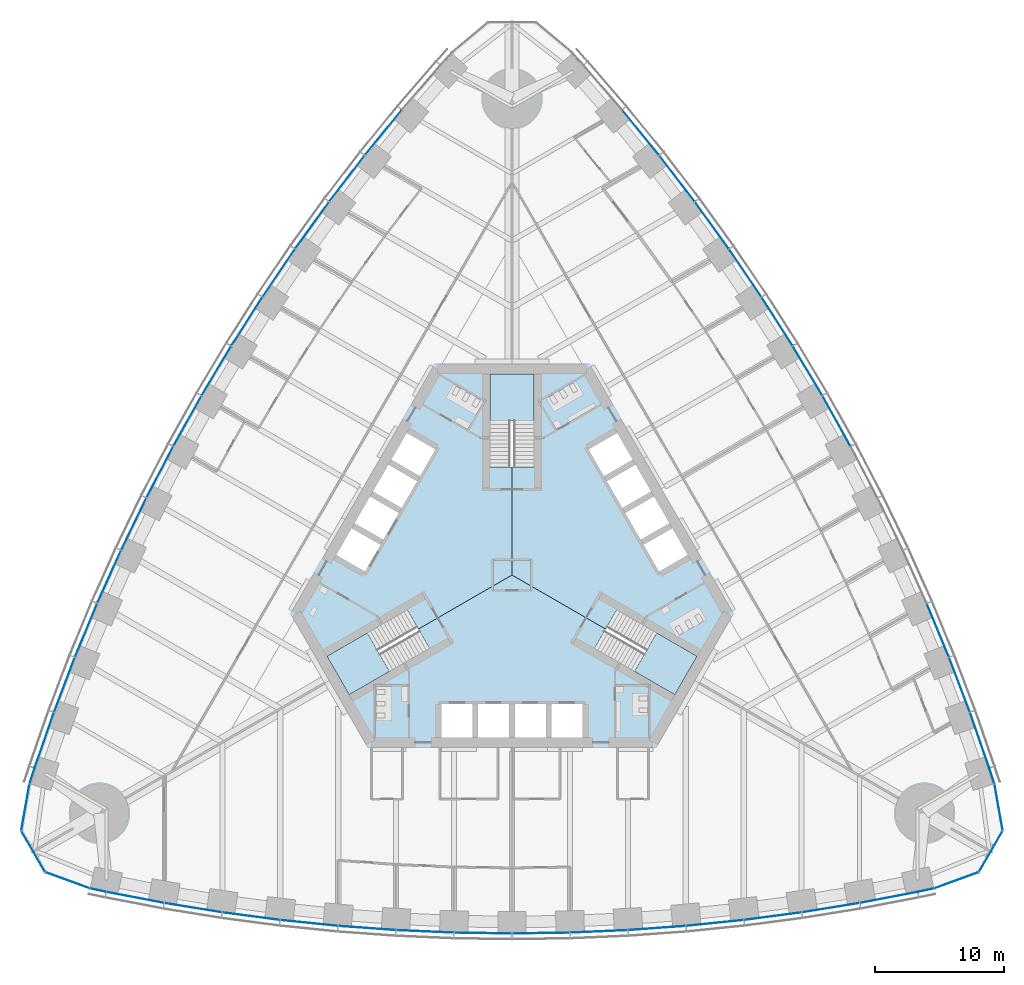
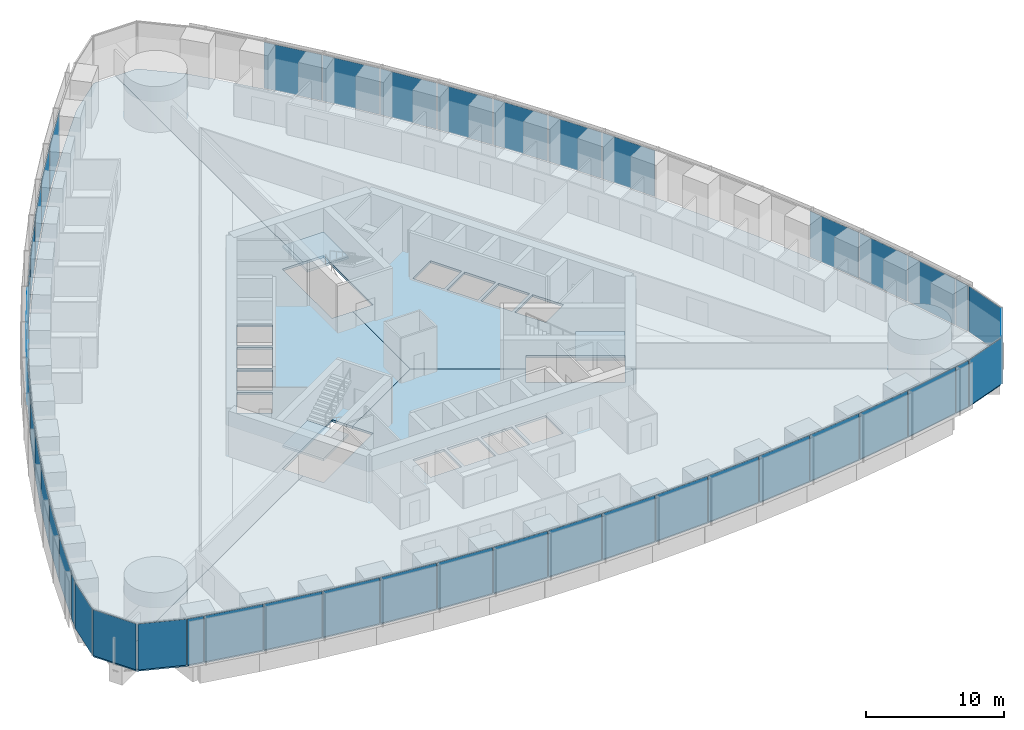
# One storey, part 8 of 18: 47 plates, 6 slabs, 8 elements without a shape of their own.
"""IFC4 building model written with IfcOpenShell, lengths in metres."""

from ifc_helpers import new_model, si_unit, direction, frame, origin, origin_2d, place, context, subcontext, project, spatial, polyline, rectangle, outline, extrude, material, layer, layer_set, type_object, element, aggregate, save


model = new_model("IFC4")

# Units and contexts
model_context = context("Model", 3, precision=1e-05, world=origin(), true_north=direction((0.0, 1.0)))
body_context = subcontext(model_context, "Body", "Model", "MODEL_VIEW")
ifc_project = project(units=[si_unit("LENGTHUNIT", "METRE"), si_unit("AREAUNIT", "SQUARE_METRE"), si_unit("VOLUMEUNIT", "CUBIC_METRE"), si_unit("PLANEANGLEUNIT", "RADIAN"), si_unit("MASSUNIT", "GRAM", prefix="KILO")], contexts=[model_context])

# Site, building, storey
site_placement = place(None, origin())
site = spatial("IfcSite", under=ifc_project, at=site_placement, CompositionType="ELEMENT")
building_placement = place(site_placement, origin())
building = spatial("IfcBuilding", under=site, at=building_placement, Name="Trefoil Bronze Tower", CompositionType="ELEMENT")
storey_placement = place(building_placement, frame((0.0, 0.0, 75.300048828125)))
storey = spatial("IfcBuildingStorey", under=building, at=storey_placement, Name="L17", CompositionType="ELEMENT", Elevation=75.300048828125)

# Curtain wall, plates
ifc_material_1 = material(Name="Tinted solar-control glass", Category="glass")
curtain_wall_type_1 = type_object("IfcCurtainWallType", Name="Bronze office curtain wall", PredefinedType="USERDEFINED", material=ifc_material_1)
curtain_wall_1_placement = place(storey_placement, origin())
curtain_wall_1 = element("IfcCurtainWall", 1, at=curtain_wall_1_placement, inside=storey, type_object=curtain_wall_type_1, Name="CW-A L17 F1", ObjectType="CURTAIN WALL", PredefinedType="USERDEFINED")
ifc_material_2 = material(Name="Tinted solar-control glass", Category="glass")
ifc_layer_1 = layer(ifc_material_2, 0.030029296875)
ifc_layer_set_1 = layer_set([ifc_layer_1], Name="Bronze office curtain wall glass panel")
plate_type_1 = type_object("IfcPlateType", Name="Bronze office curtain wall glass panel", PredefinedType="CURTAIN_PANEL", material=ifc_layer_set_1)
plate_1_placement = place(storey_placement, frame((-32.15185546875, -24.480224609375, 0.0), z_axis=(0.0, 0.0, 1.0), x_axis=(0.978302717041, -0.207180582657, 0.0)))
plate_1 = element("IfcPlate", 2, at=plate_1_placement, type_object=plate_type_1, Name="CW-A L17 F1 panel 1", PredefinedType="CURTAIN_PANEL", context=body_context, shape_type="SweptSolid", body=[
    extrude(rectangle(XDim=1.21044921875, YDim=0.030029296875, at=origin_2d()), origin(), (0.0, 0.0, 1.0), 4.080078125),
])
plate_2_placement = place(storey_placement, frame((-29.268798828125, -25.04638671875, 0.0), z_axis=(0.0, 0.0, 1.0), x_axis=(0.982049823817, -0.188621694249, 0.0)))
plate_2 = element("IfcPlate", 3, at=plate_2_placement, type_object=plate_type_1, Name="CW-A L17 F1 panel 2", PredefinedType="CURTAIN_PANEL", context=body_context, shape_type="SweptSolid", body=[
    extrude(rectangle(XDim=4.502197265625, YDim=0.030029296875, at=origin_2d()), origin(), (0.0, 0.0, 1.0), 4.080078125),
])
plate_3_placement = place(storey_placement, frame((-24.765869140625, -25.8427734375, 0.0), z_axis=(0.0, 0.0, 1.0), x_axis=(0.987181315145, -0.159602791421, 0.0)))
plate_3 = element("IfcPlate", 4, at=plate_3_placement, type_object=plate_type_1, Name="CW-A L17 F1 panel 3", PredefinedType="CURTAIN_PANEL", context=body_context, shape_type="SweptSolid", body=[
    extrude(rectangle(XDim=4.478515625, YDim=0.030029296875, at=origin_2d()), origin(), (0.0, 0.0, 1.0), 4.080078125),
])
plate_4_placement = place(storey_placement, frame((-20.262939453125, -26.50341796875, 0.0), z_axis=(0.0, 0.0, 1.0), x_axis=(0.991437251591, -0.130583981243, 0.0)))
plate_4 = element("IfcPlate", 5, at=plate_4_placement, type_object=plate_type_1, Name="CW-A L17 F1 panel 4", PredefinedType="CURTAIN_PANEL", context=body_context, shape_type="SweptSolid", body=[
    extrude(rectangle(XDim=4.458984375, YDim=0.030029296875, at=origin_2d()), origin(), (0.0, 0.0, 1.0), 4.080078125),
])
plate_5_placement = place(storey_placement, frame((-15.76025390625, -27.02978515625, 0.0), z_axis=(0.0, 0.0, 1.0), x_axis=(0.994828880293, -0.101565244717, 0.0)))
plate_5 = element("IfcPlate", 6, at=plate_5_placement, type_object=plate_type_1, Name="CW-A L17 F1 panel 5", PredefinedType="CURTAIN_PANEL", context=body_context, shape_type="SweptSolid", body=[
    extrude(rectangle(XDim=4.443359375, YDim=0.030029296875, at=origin_2d()), origin(), (0.0, 0.0, 1.0), 4.080078125),
])
plate_6_placement = place(storey_placement, frame((-11.25732421875, -27.42333984375, 0.0), z_axis=(0.0, 0.0, 1.0), x_axis=(0.99736502647, -0.072546564177, 0.0)))
plate_6 = element("IfcPlate", 7, at=plate_6_placement, type_object=plate_type_1, Name="CW-A L17 F1 panel 6", PredefinedType="CURTAIN_PANEL", context=body_context, shape_type="SweptSolid", body=[
    extrude(rectangle(XDim=4.431884765625, YDim=0.030029296875, at=origin_2d()), origin(), (0.0, 0.0, 1.0), 4.080078125),
])
plate_7_placement = place(storey_placement, frame((-6.75439453125, -27.685302734375, 0.0), z_axis=(0.0, 0.0, 1.0), x_axis=(0.999052210809, -0.043527922969, 0.0)))
plate_7 = element("IfcPlate", 8, at=plate_7_placement, type_object=plate_type_1, Name="CW-A L17 F1 panel 7", PredefinedType="CURTAIN_PANEL", context=body_context, shape_type="SweptSolid", body=[
    extrude(rectangle(XDim=4.42431640625, YDim=0.030029296875, at=origin_2d()), origin(), (0.0, 0.0, 1.0), 4.080078125),
])
plate_8_placement = place(storey_placement, frame((-2.25146484375, -27.816162109375, 0.0), z_axis=(0.0, 0.0, 1.0), x_axis=(0.999894734493, -0.014509305083, 0.0)))
plate_8 = element("IfcPlate", 9, at=plate_8_placement, type_object=plate_type_1, Name="CW-A L17 F1 panel 8", PredefinedType="CURTAIN_PANEL", context=body_context, shape_type="SweptSolid", body=[
    extrude(rectangle(XDim=4.42041015625, YDim=0.030029296875, at=origin_2d()), origin(), (0.0, 0.0, 1.0), 4.080078125),
])
plate_9_placement = place(storey_placement, frame((2.25146484375, -27.816162109375, 0.0), z_axis=(0.0, 0.0, 1.0), x_axis=(0.999894734493, 0.014509305083, 0.0)))
plate_9 = element("IfcPlate", 10, at=plate_9_placement, type_object=plate_type_1, Name="CW-A L17 F1 panel 9", PredefinedType="CURTAIN_PANEL", context=body_context, shape_type="SweptSolid", body=[
    extrude(rectangle(XDim=4.42041015625, YDim=0.030029296875, at=origin_2d()), origin(), (0.0, 0.0, 1.0), 4.080078125),
])
plate_10_placement = place(storey_placement, frame((6.75439453125, -27.685302734375, 0.0), z_axis=(0.0, 0.0, 1.0), x_axis=(0.999052210809, 0.043527922969, 0.0)))
plate_10 = element("IfcPlate", 11, at=plate_10_placement, type_object=plate_type_1, Name="CW-A L17 F1 panel 10", PredefinedType="CURTAIN_PANEL", context=body_context, shape_type="SweptSolid", body=[
    extrude(rectangle(XDim=4.42431640625, YDim=0.030029296875, at=origin_2d()), origin(), (0.0, 0.0, 1.0), 4.080078125),
])
plate_11_placement = place(storey_placement, frame((11.25732421875, -27.42333984375, 0.0), z_axis=(0.0, 0.0, 1.0), x_axis=(0.99736502647, 0.072546564177, 0.0)))
plate_11 = element("IfcPlate", 12, at=plate_11_placement, type_object=plate_type_1, Name="CW-A L17 F1 panel 11", PredefinedType="CURTAIN_PANEL", context=body_context, shape_type="SweptSolid", body=[
    extrude(rectangle(XDim=4.431884765625, YDim=0.030029296875, at=origin_2d()), origin(), (0.0, 0.0, 1.0), 4.080078125),
])
plate_12_placement = place(storey_placement, frame((15.76025390625, -27.02978515625, 0.0), z_axis=(0.0, 0.0, 1.0), x_axis=(0.994828880293, 0.101565244717, 0.0)))
plate_12 = element("IfcPlate", 13, at=plate_12_placement, type_object=plate_type_1, Name="CW-A L17 F1 panel 12", PredefinedType="CURTAIN_PANEL", context=body_context, shape_type="SweptSolid", body=[
    extrude(rectangle(XDim=4.443359375, YDim=0.030029296875, at=origin_2d()), origin(), (0.0, 0.0, 1.0), 4.080078125),
])
plate_13_placement = place(storey_placement, frame((20.262939453125, -26.50341796875, 0.0), z_axis=(0.0, 0.0, 1.0), x_axis=(0.991437251591, 0.130583981243, 0.0)))
plate_13 = element("IfcPlate", 14, at=plate_13_placement, type_object=plate_type_1, Name="CW-A L17 F1 panel 13", PredefinedType="CURTAIN_PANEL", context=body_context, shape_type="SweptSolid", body=[
    extrude(rectangle(XDim=4.458984375, YDim=0.030029296875, at=origin_2d()), origin(), (0.0, 0.0, 1.0), 4.080078125),
])
plate_14_placement = place(storey_placement, frame((24.765869140625, -25.8427734375, 0.0), z_axis=(0.0, 0.0, 1.0), x_axis=(0.987181315145, 0.159602791421, 0.0)))
plate_14 = element("IfcPlate", 15, at=plate_14_placement, type_object=plate_type_1, Name="CW-A L17 F1 panel 14", PredefinedType="CURTAIN_PANEL", context=body_context, shape_type="SweptSolid", body=[
    extrude(rectangle(XDim=4.478515625, YDim=0.030029296875, at=origin_2d()), origin(), (0.0, 0.0, 1.0), 4.080078125),
])
plate_15_placement = place(storey_placement, frame((29.268798828125, -25.04638671875, 0.0), z_axis=(0.0, 0.0, 1.0), x_axis=(0.982049823817, 0.188621694249, 0.0)))
plate_15 = element("IfcPlate", 16, at=plate_15_placement, type_object=plate_type_1, Name="CW-A L17 F1 panel 15", PredefinedType="CURTAIN_PANEL", context=body_context, shape_type="SweptSolid", body=[
    extrude(rectangle(XDim=4.502197265625, YDim=0.030029296875, at=origin_2d()), origin(), (0.0, 0.0, 1.0), 4.080078125),
])
plate_16_placement = place(storey_placement, frame((32.15185546875, -24.480224609375, 0.0), z_axis=(0.0, 0.0, 1.0), x_axis=(0.978302717041, 0.207180582657, 0.0)))
plate_16 = element("IfcPlate", 17, at=plate_16_placement, type_object=plate_type_1, Name="CW-A L17 F1 panel 16", PredefinedType="CURTAIN_PANEL", context=body_context, shape_type="SweptSolid", body=[
    extrude(rectangle(XDim=1.21044921875, YDim=0.030029296875, at=origin_2d()), origin(), (0.0, 0.0, 1.0), 4.080078125),
])
aggregate(curtain_wall_1, [plate_1, plate_2, plate_3, plate_4, plate_5, plate_6, plate_7, plate_8, plate_9, plate_10, plate_11, plate_12, plate_13, plate_14, plate_15, plate_16])

curtain_wall_2_placement = place(storey_placement, origin())
curtain_wall_2 = element("IfcCurtainWall", 18, at=curtain_wall_2_placement, inside=storey, type_object=curtain_wall_type_1, Name="CW-A L17 F2", ObjectType="CURTAIN WALL", PredefinedType="USERDEFINED")
plate_17_placement = place(storey_placement, frame((37.2763671875, -15.604248046875, 0.0), z_axis=(0.0, 0.0, 1.0), x_axis=(-0.309727710769, 0.950825296877, 0.0)))
plate_17 = element("IfcPlate", 19, at=plate_17_placement, type_object=plate_type_1, Name="CW-A L17 F2 panel 1", PredefinedType="CURTAIN_PANEL", context=body_context, shape_type="SweptSolid", body=[
    extrude(rectangle(XDim=1.21044921875, YDim=0.030029296875, at=origin_2d()), origin(), (0.0, 0.0, 1.0), 4.080078125),
])
plate_18_placement = place(storey_placement, frame((36.3251953125, -12.824462890625, 0.0), z_axis=(0.0, 0.0, 1.0), x_axis=(-0.327673732984, 0.944790942332, 0.0)))
plate_18 = element("IfcPlate", 20, at=plate_18_placement, type_object=plate_type_1, Name="CW-A L17 F2 panel 2", PredefinedType="CURTAIN_PANEL", context=body_context, shape_type="SweptSolid", body=[
    extrude(rectangle(XDim=4.502197265625, YDim=0.030029296875, at=origin_2d()), origin(), (0.0, 0.0, 1.0), 4.080078125),
])
plate_19_placement = place(storey_placement, frame((34.763427734375, -8.526611328125, 0.0), z_axis=(0.0, 0.0, 1.0), x_axis=(-0.355370585687, 0.934725492767, 0.0)))
plate_19 = element("IfcPlate", 21, at=plate_19_placement, type_object=plate_type_1, Name="CW-A L17 F2 panel 3", PredefinedType="CURTAIN_PANEL", context=body_context, shape_type="SweptSolid", body=[
    extrude(rectangle(XDim=4.478515625, YDim=0.030029296875, at=origin_2d()), origin(), (0.0, 0.0, 1.0), 4.080078125),
])
plate_20_placement = place(storey_placement, frame((33.084228515625, -4.296630859375, 0.0), z_axis=(0.0, 0.0, 1.0), x_axis=(-0.382629580712, 0.923901836758, 0.0)))
plate_20 = element("IfcPlate", 22, at=plate_20_placement, type_object=plate_type_1, Name="CW-A L17 F2 panel 4", PredefinedType="CURTAIN_PANEL", context=body_context, shape_type="SweptSolid", body=[
    extrude(rectangle(XDim=4.458984375, YDim=0.030029296875, at=origin_2d()), origin(), (0.0, 0.0, 1.0), 4.080078125),
])
plate_21_placement = place(storey_placement, frame((25.215087890625, 11.958251953125, 0.0), z_axis=(0.0, 0.0, 1.0), x_axis=(-0.487381940453, 0.873188893722, 0.0)))
plate_21 = element("IfcPlate", 23, at=plate_21_placement, type_object=plate_type_1, Name="CW-A L17 F2 panel 8", PredefinedType="CURTAIN_PANEL", context=body_context, shape_type="SweptSolid", body=[
    extrude(rectangle(XDim=4.42041015625, YDim=0.030029296875, at=origin_2d()), origin(), (0.0, 0.0, 1.0), 4.080078125),
])
plate_22_placement = place(storey_placement, frame((22.963623046875, 15.85791015625, 0.0), z_axis=(0.0, 0.0, 1.0), x_axis=(-0.51251279404, 0.858679588639, 0.0)))
plate_22 = element("IfcPlate", 24, at=plate_22_placement, type_object=plate_type_1, Name="CW-A L17 F2 panel 9", PredefinedType="CURTAIN_PANEL", context=body_context, shape_type="SweptSolid", body=[
    extrude(rectangle(XDim=4.42041015625, YDim=0.030029296875, at=origin_2d()), origin(), (0.0, 0.0, 1.0), 4.080078125),
])
plate_23_placement = place(storey_placement, frame((20.598876953125, 19.692138671875, 0.0), z_axis=(0.0, 0.0, 1.0), x_axis=(-0.537222392469, 0.843440632783, 0.0)))
plate_23 = element("IfcPlate", 25, at=plate_23_placement, type_object=plate_type_1, Name="CW-A L17 F2 panel 10", PredefinedType="CURTAIN_PANEL", context=body_context, shape_type="SweptSolid", body=[
    extrude(rectangle(XDim=4.42431640625, YDim=0.030029296875, at=origin_2d()), origin(), (0.0, 0.0, 1.0), 4.080078125),
])
plate_24_placement = place(storey_placement, frame((18.120849609375, 23.460693359375, 0.0), z_axis=(0.0, 0.0, 1.0), x_axis=(-0.56150968077, 0.827470167681, 0.0)))
plate_24 = element("IfcPlate", 26, at=plate_24_placement, type_object=plate_type_1, Name="CW-A L17 F2 panel 11", PredefinedType="CURTAIN_PANEL", context=body_context, shape_type="SweptSolid", body=[
    extrude(rectangle(XDim=4.431884765625, YDim=0.030029296875, at=origin_2d()), origin(), (0.0, 0.0, 1.0), 4.080078125),
])
plate_25_placement = place(storey_placement, frame((15.5283203125, 27.16357421875, 0.0), z_axis=(0.0, 0.0, 1.0), x_axis=(-0.585372522213, 0.810764460394, 0.0)))
plate_25 = element("IfcPlate", 27, at=plate_25_placement, type_object=plate_type_1, Name="CW-A L17 F2 panel 12", PredefinedType="CURTAIN_PANEL", context=body_context, shape_type="SweptSolid", body=[
    extrude(rectangle(XDim=4.443359375, YDim=0.030029296875, at=origin_2d()), origin(), (0.0, 0.0, 1.0), 4.080078125),
])
plate_26_placement = place(storey_placement, frame((12.821044921875, 30.800048828125, 0.0), z_axis=(0.0, 0.0, 1.0), x_axis=(-0.608807670879, 0.793317855515, 0.0)))
plate_26 = element("IfcPlate", 28, at=plate_26_placement, type_object=plate_type_1, Name="CW-A L17 F2 panel 13", PredefinedType="CURTAIN_PANEL", context=body_context, shape_type="SweptSolid", body=[
    extrude(rectangle(XDim=4.458984375, YDim=0.030029296875, at=origin_2d()), origin(), (0.0, 0.0, 1.0), 4.080078125),
])
plate_27_placement = place(storey_placement, frame((9.99755859375, 34.369384765625, 0.0), z_axis=(0.0, 0.0, 1.0), x_axis=(-0.631810729457, 0.775122701346, 0.0)))
plate_27 = element("IfcPlate", 29, at=plate_27_placement, type_object=plate_type_1, Name="CW-A L17 F2 panel 14", PredefinedType="CURTAIN_PANEL", context=body_context, shape_type="SweptSolid", body=[
    extrude(rectangle(XDim=4.478515625, YDim=0.030029296875, at=origin_2d()), origin(), (0.0, 0.0, 1.0), 4.080078125),
])
aggregate(curtain_wall_2, [plate_17, plate_18, plate_19, plate_20, plate_21, plate_22, plate_23, plate_24, plate_25, plate_26, plate_27])

curtain_wall_3_placement = place(storey_placement, origin())
curtain_wall_3 = element("IfcCurtainWall", 30, at=curtain_wall_3_placement, inside=storey, type_object=curtain_wall_type_1, Name="CW-A L17 F3", ObjectType="CURTAIN WALL", PredefinedType="USERDEFINED")
plate_28_placement = place(storey_placement, frame((-9.99755859375, 34.369384765625, 0.0), z_axis=(0.0, 0.0, 1.0), x_axis=(-0.631810729457, -0.775122701346, 0.0)))
plate_28 = element("IfcPlate", 31, at=plate_28_placement, type_object=plate_type_1, Name="CW-A L17 F3 panel 3", PredefinedType="CURTAIN_PANEL", context=body_context, shape_type="SweptSolid", body=[
    extrude(rectangle(XDim=4.478515625, YDim=0.030029296875, at=origin_2d()), origin(), (0.0, 0.0, 1.0), 4.080078125),
])
plate_29_placement = place(storey_placement, frame((-12.821044921875, 30.800048828125, 0.0), z_axis=(0.0, 0.0, 1.0), x_axis=(-0.608807670879, -0.793317855515, 0.0)))
plate_29 = element("IfcPlate", 32, at=plate_29_placement, type_object=plate_type_1, Name="CW-A L17 F3 panel 4", PredefinedType="CURTAIN_PANEL", context=body_context, shape_type="SweptSolid", body=[
    extrude(rectangle(XDim=4.458984375, YDim=0.030029296875, at=origin_2d()), origin(), (0.0, 0.0, 1.0), 4.080078125),
])
plate_30_placement = place(storey_placement, frame((-15.5283203125, 27.16357421875, 0.0), z_axis=(0.0, 0.0, 1.0), x_axis=(-0.585372522213, -0.810764460394, 0.0)))
plate_30 = element("IfcPlate", 33, at=plate_30_placement, type_object=plate_type_1, Name="CW-A L17 F3 panel 5", PredefinedType="CURTAIN_PANEL", context=body_context, shape_type="SweptSolid", body=[
    extrude(rectangle(XDim=4.443359375, YDim=0.030029296875, at=origin_2d()), origin(), (0.0, 0.0, 1.0), 4.080078125),
])
plate_31_placement = place(storey_placement, frame((-18.120849609375, 23.460693359375, 0.0), z_axis=(0.0, 0.0, 1.0), x_axis=(-0.56150968077, -0.827470167681, 0.0)))
plate_31 = element("IfcPlate", 34, at=plate_31_placement, type_object=plate_type_1, Name="CW-A L17 F3 panel 6", PredefinedType="CURTAIN_PANEL", context=body_context, shape_type="SweptSolid", body=[
    extrude(rectangle(XDim=4.431884765625, YDim=0.030029296875, at=origin_2d()), origin(), (0.0, 0.0, 1.0), 4.080078125),
])
plate_32_placement = place(storey_placement, frame((-20.598876953125, 19.692138671875, 0.0), z_axis=(0.0, 0.0, 1.0), x_axis=(-0.537222392469, -0.843440632783, 0.0)))
plate_32 = element("IfcPlate", 35, at=plate_32_placement, type_object=plate_type_1, Name="CW-A L17 F3 panel 7", PredefinedType="CURTAIN_PANEL", context=body_context, shape_type="SweptSolid", body=[
    extrude(rectangle(XDim=4.42431640625, YDim=0.030029296875, at=origin_2d()), origin(), (0.0, 0.0, 1.0), 4.080078125),
])
plate_33_placement = place(storey_placement, frame((-22.963623046875, 15.85791015625, 0.0), z_axis=(0.0, 0.0, 1.0), x_axis=(-0.51251279404, -0.858679588639, 0.0)))
plate_33 = element("IfcPlate", 36, at=plate_33_placement, type_object=plate_type_1, Name="CW-A L17 F3 panel 8", PredefinedType="CURTAIN_PANEL", context=body_context, shape_type="SweptSolid", body=[
    extrude(rectangle(XDim=4.42041015625, YDim=0.030029296875, at=origin_2d()), origin(), (0.0, 0.0, 1.0), 4.080078125),
])
plate_34_placement = place(storey_placement, frame((-25.215087890625, 11.958251953125, 0.0), z_axis=(0.0, 0.0, 1.0), x_axis=(-0.487381940453, -0.873188893722, 0.0)))
plate_34 = element("IfcPlate", 37, at=plate_34_placement, type_object=plate_type_1, Name="CW-A L17 F3 panel 9", PredefinedType="CURTAIN_PANEL", context=body_context, shape_type="SweptSolid", body=[
    extrude(rectangle(XDim=4.42041015625, YDim=0.030029296875, at=origin_2d()), origin(), (0.0, 0.0, 1.0), 4.080078125),
])
plate_35_placement = place(storey_placement, frame((-27.353271484375, 7.9931640625, 0.0), z_axis=(0.0, 0.0, 1.0), x_axis=(-0.46182981834, -0.886968555752, 0.0)))
plate_35 = element("IfcPlate", 38, at=plate_35_placement, type_object=plate_type_1, Name="CW-A L17 F3 panel 10", PredefinedType="CURTAIN_PANEL", context=body_context, shape_type="SweptSolid", body=[
    extrude(rectangle(XDim=4.42431640625, YDim=0.030029296875, at=origin_2d()), origin(), (0.0, 0.0, 1.0), 4.080078125),
])
plate_36_placement = place(storey_placement, frame((-29.3779296875, 3.962646484375, 0.0), z_axis=(0.0, 0.0, 1.0), x_axis=(-0.4358553457, -0.900016731858, 0.0)))
plate_36 = element("IfcPlate", 39, at=plate_36_placement, type_object=plate_type_1, Name="CW-A L17 F3 panel 11", PredefinedType="CURTAIN_PANEL", context=body_context, shape_type="SweptSolid", body=[
    extrude(rectangle(XDim=4.431884765625, YDim=0.030029296875, at=origin_2d()), origin(), (0.0, 0.0, 1.0), 4.080078125),
])
plate_37_placement = place(storey_placement, frame((-31.28857421875, -0.1337890625, 0.0), z_axis=(0.0, 0.0, 1.0), x_axis=(-0.40945635808, -0.912329705111, 0.0)))
plate_37 = element("IfcPlate", 40, at=plate_37_placement, type_object=plate_type_1, Name="CW-A L17 F3 panel 12", PredefinedType="CURTAIN_PANEL", context=body_context, shape_type="SweptSolid", body=[
    extrude(rectangle(XDim=4.443359375, YDim=0.030029296875, at=origin_2d()), origin(), (0.0, 0.0, 1.0), 4.080078125),
])
plate_38_placement = place(storey_placement, frame((-33.084228515625, -4.296630859375, 0.0), z_axis=(0.0, 0.0, 1.0), x_axis=(-0.382629580712, -0.923901836758, 0.0)))
plate_38 = element("IfcPlate", 41, at=plate_38_placement, type_object=plate_type_1, Name="CW-A L17 F3 panel 13", PredefinedType="CURTAIN_PANEL", context=body_context, shape_type="SweptSolid", body=[
    extrude(rectangle(XDim=4.458984375, YDim=0.030029296875, at=origin_2d()), origin(), (0.0, 0.0, 1.0), 4.080078125),
])
plate_39_placement = place(storey_placement, frame((-34.763427734375, -8.526611328125, 0.0), z_axis=(0.0, 0.0, 1.0), x_axis=(-0.355370585687, -0.934725492767, 0.0)))
plate_39 = element("IfcPlate", 42, at=plate_39_placement, type_object=plate_type_1, Name="CW-A L17 F3 panel 14", PredefinedType="CURTAIN_PANEL", context=body_context, shape_type="SweptSolid", body=[
    extrude(rectangle(XDim=4.478515625, YDim=0.030029296875, at=origin_2d()), origin(), (0.0, 0.0, 1.0), 4.080078125),
])
plate_40_placement = place(storey_placement, frame((-36.3251953125, -12.824462890625, 0.0), z_axis=(0.0, 0.0, 1.0), x_axis=(-0.327673732984, -0.944790942332, 0.0)))
plate_40 = element("IfcPlate", 43, at=plate_40_placement, type_object=plate_type_1, Name="CW-A L17 F3 panel 15", PredefinedType="CURTAIN_PANEL", context=body_context, shape_type="SweptSolid", body=[
    extrude(rectangle(XDim=4.502197265625, YDim=0.030029296875, at=origin_2d()), origin(), (0.0, 0.0, 1.0), 4.080078125),
])
plate_41_placement = place(storey_placement, frame((-37.2763671875, -15.604248046875, 0.0), z_axis=(0.0, 0.0, 1.0), x_axis=(-0.309727710769, -0.950825296877, 0.0)))
plate_41 = element("IfcPlate", 44, at=plate_41_placement, type_object=plate_type_1, Name="CW-A L17 F3 panel 16", PredefinedType="CURTAIN_PANEL", context=body_context, shape_type="SweptSolid", body=[
    extrude(rectangle(XDim=1.21044921875, YDim=0.030029296875, at=origin_2d()), origin(), (0.0, 0.0, 1.0), 4.080078125),
])
aggregate(curtain_wall_3, [plate_28, plate_29, plate_30, plate_31, plate_32, plate_33, plate_34, plate_35, plate_36, plate_37, plate_38, plate_39, plate_40, plate_41])

ifc_material_3 = material(Name="Tinted solar-control glass", Category="glass")
curtain_wall_type_2 = type_object("IfcCurtainWallType", Name="Bronze rounded corner curtain wall", PredefinedType="USERDEFINED", material=ifc_material_3)
curtain_wall_4_placement = place(storey_placement, origin())
curtain_wall_4 = element("IfcCurtainWall", 45, at=curtain_wall_4_placement, inside=storey, type_object=curtain_wall_type_2, Name="CW-B L17 K1", ObjectType="CURTAIN WALL", PredefinedType="USERDEFINED")
ifc_material_4 = material(Name="Tinted solar-control glass", Category="glass")
ifc_layer_2 = layer(ifc_material_4, 0.030029296875)
ifc_layer_set_2 = layer_set([ifc_layer_2], Name="Bronze rounded corner curtain wall glass panel")
plate_type_2 = type_object("IfcPlateType", Name="Bronze rounded corner curtain wall glass panel", PredefinedType="CURTAIN_PANEL", material=ifc_layer_set_2)
plate_42_placement = place(storey_placement, frame((34.5107421875, -23.71875, 0.0), z_axis=(0.0, 0.0, 1.0), x_axis=(0.939692620786, 0.342020143326, 0.0)))
plate_42 = element("IfcPlate", 46, at=plate_42_placement, type_object=plate_type_2, Name="CW-B L17 K1 panel 1", PredefinedType="CURTAIN_PANEL", context=body_context, shape_type="SweptSolid", body=[
    extrude(rectangle(XDim=3.588134765625, YDim=0.030029296875, at=origin_2d()), origin(), (0.0, 0.0, 1.0), 4.080078125),
])
plate_43_placement = place(storey_placement, frame((37.189208984375, -21.47119140625, 0.0), z_axis=(0.0, 0.0, 1.0), x_axis=(0.5, 0.866025403784, 0.0)))
plate_43 = element("IfcPlate", 47, at=plate_43_placement, type_object=plate_type_2, Name="CW-B L17 K1 panel 2", PredefinedType="CURTAIN_PANEL", context=body_context, shape_type="SweptSolid", body=[
    extrude(rectangle(XDim=3.588134765625, YDim=0.030029296875, at=origin_2d()), origin(), (0.0, 0.0, 1.0), 4.080078125),
])
plate_44_placement = place(storey_placement, frame((37.79638671875, -18.02783203125, 0.0), z_axis=(0.0, 0.0, 1.0), x_axis=(-0.173648177667, 0.984807753012, 0.0)))
plate_44 = element("IfcPlate", 48, at=plate_44_placement, type_object=plate_type_2, Name="CW-B L17 K1 panel 3", PredefinedType="CURTAIN_PANEL", context=body_context, shape_type="SweptSolid", body=[
    extrude(rectangle(XDim=3.588134765625, YDim=0.030029296875, at=origin_2d()), origin(), (0.0, 0.0, 1.0), 4.080078125),
])
aggregate(curtain_wall_4, [plate_42, plate_43, plate_44])

curtain_wall_5_placement = place(storey_placement, origin())
curtain_wall_5 = element("IfcCurtainWall", 49, at=curtain_wall_5_placement, inside=storey, type_object=curtain_wall_type_2, Name="CW-B L17 K3", ObjectType="CURTAIN WALL", PredefinedType="USERDEFINED")
plate_45_placement = place(storey_placement, frame((-37.79638671875, -18.02783203125, 0.0), z_axis=(0.0, 0.0, 1.0), x_axis=(-0.173648177667, -0.984807753012, 0.0)))
plate_45 = element("IfcPlate", 50, at=plate_45_placement, type_object=plate_type_2, Name="CW-B L17 K3 panel 1", PredefinedType="CURTAIN_PANEL", context=body_context, shape_type="SweptSolid", body=[
    extrude(rectangle(XDim=3.588134765625, YDim=0.030029296875, at=origin_2d()), origin(), (0.0, 0.0, 1.0), 4.080078125),
])
plate_46_placement = place(storey_placement, frame((-37.189208984375, -21.47119140625, 0.0), z_axis=(0.0, 0.0, 1.0), x_axis=(0.5, -0.866025403784, 0.0)))
plate_46 = element("IfcPlate", 51, at=plate_46_placement, type_object=plate_type_2, Name="CW-B L17 K3 panel 2", PredefinedType="CURTAIN_PANEL", context=body_context, shape_type="SweptSolid", body=[
    extrude(rectangle(XDim=3.588134765625, YDim=0.030029296875, at=origin_2d()), origin(), (0.0, 0.0, 1.0), 4.080078125),
])
plate_47_placement = place(storey_placement, frame((-34.5107421875, -23.71875, 0.0), z_axis=(0.0, 0.0, 1.0), x_axis=(0.939692620786, -0.342020143326, 0.0)))
plate_47 = element("IfcPlate", 52, at=plate_47_placement, type_object=plate_type_2, Name="CW-B L17 K3 panel 3", PredefinedType="CURTAIN_PANEL", context=body_context, shape_type="SweptSolid", body=[
    extrude(rectangle(XDim=3.588134765625, YDim=0.030029296875, at=origin_2d()), origin(), (0.0, 0.0, 1.0), 4.080078125),
])
aggregate(curtain_wall_5, [plate_45, plate_46, plate_47])

# Slabs
ifc_material_5 = material(Name="Concrete B30", Category="concrete")
ifc_layer_3 = layer(ifc_material_5, 0.199951171875)
ifc_layer_set_3 = layer_set([ifc_layer_3], Name="Floor slab 200")
slab_type_1 = type_object("IfcSlabType", Name="Floor slab 200", PredefinedType="FLOOR", material=ifc_layer_set_3)
slab_1_placement = place(storey_placement, frame((0.0, 0.0, -0.199951171875)))
element("IfcSlab", 53, at=slab_1_placement, inside=storey, type_object=slab_type_1, Name="Floor slab L17 face 1", PredefinedType="FLOOR", context=body_context, shape_type="SweptSolid", body=[
    extrude(outline(polyline([(27.0, -25.38037109375), (22.5, -26.10791015625), (18.0, -26.70068359375), (13.5, -27.159912109375), (9.0, -27.4873046875), (4.5, -27.683349609375), (0.0, -27.748779296875), (-4.5, -27.683349609375), (-9.0, -27.4873046875), (-13.5, -27.159912109375), (-18.0, -26.70068359375), (-22.5, -26.10791015625), (-27.0, -25.38037109375), (-31.5, -24.51611328125), (-32.762451171875, -24.248779296875), (-36.190673828125, -23.0009765625), (-37.1025390625, -21.421142578125), (-13.510009765625, -7.800048828125), (-12.6474609375, -9.2939453125), (-6.412109375, -5.69384765625), (-7.274658203125, -4.199951171875), (0.0, 0.0), (7.274658203125, -4.199951171875), (6.412109375, -5.69384765625), (12.6474609375, -9.2939453125), (13.510009765625, -7.800048828125), (37.1025390625, -21.421142578125), (36.190673828125, -23.0009765625), (32.762451171875, -24.248779296875), (31.5, -24.51611328125), (27.0, -25.38037109375)]), holes=[polyline([(-5.574951171875, -10.02490234375), (-2.97509765625, -10.02490234375), (-2.97509765625, -12.60009765625), (-5.574951171875, -12.60009765625), (-5.574951171875, -10.02490234375)]), polyline([(-2.72509765625, -10.02490234375), (-0.125, -10.02490234375), (-0.125, -12.60009765625), (-2.72509765625, -12.60009765625), (-2.72509765625, -10.02490234375)]), polyline([(0.125, -10.02490234375), (2.72509765625, -10.02490234375), (2.72509765625, -12.60009765625), (0.125, -12.60009765625), (0.125, -10.02490234375)]), polyline([(2.97509765625, -10.02490234375), (5.574951171875, -10.02490234375), (5.574951171875, -12.60009765625), (2.97509765625, -12.60009765625), (2.97509765625, -10.02490234375)])]), origin(), (0.0, 0.0, 1.0), 0.199951171875),
])
slab_2_placement = place(storey_placement, frame((0.0, 0.0, -0.199951171875)))
element("IfcSlab", 54, at=slab_2_placement, inside=storey, type_object=slab_type_1, Name="Floor slab L17 face 2", PredefinedType="FLOOR", context=body_context, shape_type="SweptSolid", body=[
    extrude(outline(polyline([(8.47998046875, 36.07275390625), (11.360107421875, 32.53955078125), (14.123291015625, 28.938720703125), (16.771240234375, 25.271240234375), (19.3046875, 21.537841796875), (21.724609375, 17.73876953125), (24.031005859375, 13.874267578125), (26.224609375, 9.944580078125), (28.3046875, 5.949462890625), (30.271240234375, 1.888671875), (32.123291015625, -2.238037109375), (33.860107421875, -6.431640625), (35.47998046875, -10.6923828125), (36.9814453125, -15.021728515625), (37.381103515625, -16.248779296875), (38.0146484375, -19.841552734375), (37.1025390625, -21.421142578125), (13.510009765625, -7.800048828125), (14.37255859375, -6.30615234375), (8.13720703125, -2.7060546875), (7.274658203125, -4.199951171875), (0.0, 0.0), (0.0, 8.39990234375), (1.72509765625, 8.39990234375), (1.72509765625, 15.60009765625), (0.0, 15.60009765625), (0.0, 42.842529296875), (1.82421875, 42.842529296875), (4.618896484375, 40.497314453125), (5.4814453125, 39.537841796875), (8.47998046875, 36.07275390625)]), holes=[polyline([(11.469482421875, 0.184326171875), (10.16943359375, 2.43603515625), (12.3994140625, 3.7236328125), (13.699462890625, 1.471923828125), (11.469482421875, 0.184326171875)]), polyline([(10.04443359375, 2.652587890625), (8.744384765625, 4.904296875), (10.974365234375, 6.191650390625), (12.2744140625, 3.940185546875), (10.04443359375, 2.652587890625)]), polyline([(8.619384765625, 5.120849609375), (7.3193359375, 7.372314453125), (9.54931640625, 8.659912109375), (10.849365234375, 6.408203125), (8.619384765625, 5.120849609375)]), polyline([(7.1943359375, 7.5888671875), (5.894287109375, 9.840576171875), (8.12451171875, 11.128173828125), (9.42431640625, 8.87646484375), (7.1943359375, 7.5888671875)])]), origin(), (0.0, 0.0, 1.0), 0.199951171875),
])
slab_3_placement = place(storey_placement, frame((0.0, 0.0, -0.199951171875)))
element("IfcSlab", 55, at=slab_3_placement, inside=storey, type_object=slab_type_1, Name="Floor slab L17 face 3", PredefinedType="FLOOR", context=body_context, shape_type="SweptSolid", body=[
    extrude(outline(polyline([(-35.47998046875, -10.6923828125), (-33.860107421875, -6.431640625), (-32.123291015625, -2.238037109375), (-30.271240234375, 1.888671875), (-28.3046875, 5.949462890625), (-26.224609375, 9.944580078125), (-24.031005859375, 13.874267578125), (-21.724609375, 17.73876953125), (-19.3046875, 21.537841796875), (-16.771240234375, 25.271240234375), (-14.123291015625, 28.938720703125), (-11.360107421875, 32.53955078125), (-8.47998046875, 36.07275390625), (-5.4814453125, 39.537841796875), (-4.618896484375, 40.497314453125), (-1.82421875, 42.842529296875), (0.0, 42.842529296875), (0.0, 15.60009765625), (-1.72509765625, 15.60009765625), (-1.72509765625, 8.39990234375), (0.0, 8.39990234375), (0.0, 0.0), (-7.274658203125, -4.199951171875), (-8.13720703125, -2.7060546875), (-14.37255859375, -6.30615234375), (-13.510009765625, -7.800048828125), (-37.1025390625, -21.421142578125), (-38.0146484375, -19.841552734375), (-37.381103515625, -16.248779296875), (-36.9814453125, -15.021728515625), (-35.47998046875, -10.6923828125)]), holes=[polyline([(-5.894287109375, 9.840576171875), (-7.1943359375, 7.5888671875), (-9.42431640625, 8.87646484375), (-8.12451171875, 11.128173828125), (-5.894287109375, 9.840576171875)]), polyline([(-7.3193359375, 7.372314453125), (-8.619384765625, 5.120849609375), (-10.849365234375, 6.408203125), (-9.54931640625, 8.659912109375), (-7.3193359375, 7.372314453125)]), polyline([(-8.744384765625, 4.904296875), (-10.04443359375, 2.652587890625), (-12.2744140625, 3.940185546875), (-10.974365234375, 6.191650390625), (-8.744384765625, 4.904296875)]), polyline([(-10.16943359375, 2.43603515625), (-11.469482421875, 0.184326171875), (-13.699462890625, 1.471923828125), (-12.3994140625, 3.7236328125), (-10.16943359375, 2.43603515625)])]), origin(), (0.0, 0.0, 1.0), 0.199951171875),
])

# Stair, slab
ifc_material_6 = material(Name="Precast concrete B80", Category="concrete")
stair_type = type_object("IfcStairType", Name="Exit stair 26 risers", PredefinedType="HALF_TURN_STAIR", material=ifc_material_6)
stair_1_placement = place(storey_placement, origin())
stair_1 = element("IfcStair", 56, at=stair_1_placement, inside=storey, type_object=stair_type, Name="Stair ST1 L17", PredefinedType="HALF_TURN_STAIR")
ifc_material_7 = material(Name="Concrete B30", Category="concrete")
ifc_layer_4 = layer(ifc_material_7, 0.199951171875)
ifc_layer_set_4 = layer_set([ifc_layer_4], Name="Stair landing 200")
slab_type_2 = type_object("IfcSlabType", Name="Stair landing 200", PredefinedType="LANDING", material=ifc_layer_set_4)
slab_4_placement = place(storey_placement, frame((0.0, 0.0, 1.89990234375)))
slab_4 = element("IfcSlab", 57, at=slab_4_placement, type_object=slab_type_2, Name="ST1 landing 1", PredefinedType="LANDING", context=body_context, shape_type="SweptSolid", body=[
    extrude(outline(polyline([(9.512451171875, -7.48388671875), (12.6474609375, -9.2939453125), (14.37255859375, -6.30615234375), (11.237548828125, -4.49609375), (9.512451171875, -7.48388671875)])), origin(), (0.0, 0.0, 1.0), 0.199951171875),
])
aggregate(stair_1, [slab_4])

stair_2_placement = place(storey_placement, origin())
stair_2 = element("IfcStair", 58, at=stair_2_placement, inside=storey, type_object=stair_type, Name="Stair ST2 L17", PredefinedType="HALF_TURN_STAIR")
slab_5_placement = place(storey_placement, frame((0.0, 0.0, 1.89990234375)))
slab_5 = element("IfcSlab", 59, at=slab_5_placement, type_object=slab_type_2, Name="ST2 landing 1", PredefinedType="LANDING", context=body_context, shape_type="SweptSolid", body=[
    extrude(outline(polyline([(1.72509765625, 11.97998046875), (1.72509765625, 15.60009765625), (-1.72509765625, 15.60009765625), (-1.72509765625, 11.97998046875), (1.72509765625, 11.97998046875)])), origin(), (0.0, 0.0, 1.0), 0.199951171875),
])
aggregate(stair_2, [slab_5])

stair_3_placement = place(storey_placement, origin())
stair_3 = element("IfcStair", 60, at=stair_3_placement, inside=storey, type_object=stair_type, Name="Stair ST3 L17", PredefinedType="HALF_TURN_STAIR")
slab_6_placement = place(storey_placement, frame((0.0, 0.0, 1.89990234375)))
slab_6 = element("IfcSlab", 61, at=slab_6_placement, type_object=slab_type_2, Name="ST3 landing 1", PredefinedType="LANDING", context=body_context, shape_type="SweptSolid", body=[
    extrude(outline(polyline([(-11.237548828125, -4.49609375), (-14.37255859375, -6.30615234375), (-12.6474609375, -9.2939453125), (-9.512451171875, -7.48388671875), (-11.237548828125, -4.49609375)])), origin(), (0.0, 0.0, 1.0), 0.199951171875),
])
aggregate(stair_3, [slab_6])

save(model, "model.ifc")
